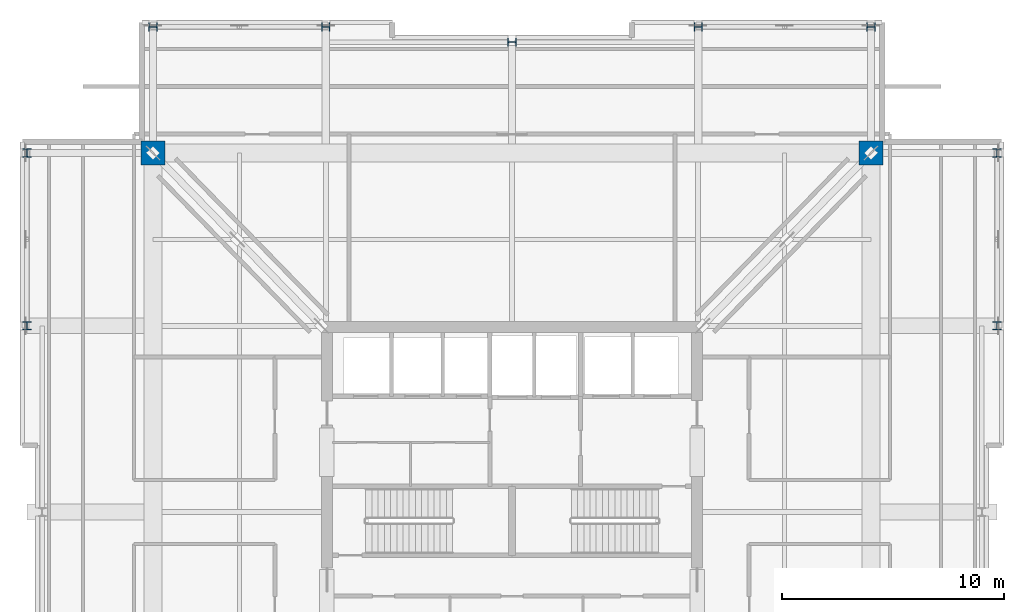
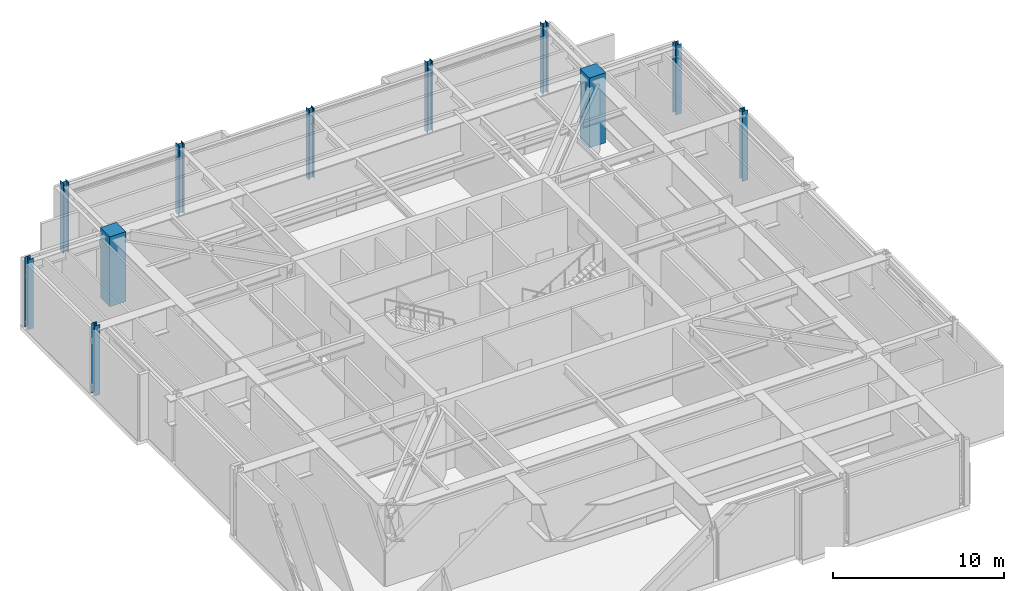
# One storey, part 2 of 10: 11 columns.
"""IFC4 building model written with IfcOpenShell, lengths in metres."""

from ifc_helpers import new_model, si_unit, direction, frame, origin, origin_2d, place, context, subcontext, project, spatial, rectangle, i_section, extrude, material, material_profile, profile_set, type_object, element, save


model = new_model("IFC4")

# Units and contexts
model_context = context("Model", 3, precision=1e-05, world=origin(), true_north=direction((0.0, 1.0)))
body_context = subcontext(model_context, "Body", "Model", "MODEL_VIEW")
ifc_project = project(units=[si_unit("LENGTHUNIT", "METRE"), si_unit("AREAUNIT", "SQUARE_METRE"), si_unit("VOLUMEUNIT", "CUBIC_METRE"), si_unit("PLANEANGLEUNIT", "RADIAN"), si_unit("MASSUNIT", "GRAM", prefix="KILO")], contexts=[model_context])

# Site, building, storey
site_placement = place(None, origin())
site = spatial("IfcSite", under=ifc_project, at=site_placement, CompositionType="ELEMENT")
building_placement = place(site_placement, origin())
building = spatial("IfcBuilding", under=site, at=building_placement, Name="Drelvath Grand Hotel", CompositionType="ELEMENT")
storey_placement = place(building_placement, frame((0.0, 0.0, 260.0)))
storey = spatial("IfcBuildingStorey", under=building, at=storey_placement, Name="L68", CompositionType="ELEMENT", Elevation=260.0)

# Columns
ifc_material_1 = material(Name="Concrete f'c 55 MPa", Category="concrete")
ifc_material_profile_1 = material_profile(ifc_material_1, rectangle(XDim=1.10009765625, YDim=1.10009765625, at=origin_2d()), Name="MC1100X1100")
ifc_profile_set_1 = profile_set([ifc_material_profile_1], Name="Concrete f'c 55 MPa")
column_type_1 = type_object("IfcColumnType", Name="Composite Mega Column MC1100X1100", PredefinedType="COLUMN", material=ifc_profile_set_1)
for number, where, z_axis, x_axis, name in (
    (1, (-16.199951171875, 43.199951171875, 0.0), (0.0, 0.0, 1.0), (1.0, 0.0, 0.0), "L68 Composite Mega Column MC-NW"),
    (2, (16.199951171875, 43.199951171875, 0.0), (0.0, 0.0, 1.0), (1.0, 0.0, 0.0), "L68 Composite Mega Column MC-NE"),
):
    element("IfcColumn", number, at=place(storey_placement, frame(where, z_axis=z_axis, x_axis=x_axis)), inside=storey, type_object=column_type_1, Name=name, PredefinedType="COLUMN", context=body_context, shape_type="SweptSolid", body=[
        extrude(rectangle(XDim=1.10009765625, YDim=1.10009765625, at=origin_2d()), origin(), (0.0, 0.0, 1.0), 5.0),
    ])
ifc_material_2 = material(Name="Steel ASTM A913 Gr 65", Category="steel")
ifc_material_profile_2 = material_profile(ifc_material_2, i_section(OverallWidth=0.3740234375, OverallDepth=0.372314453125, WebThickness=0.016357421875, FlangeThickness=0.026123046875, FilletRadius=0.02490234375, at=origin_2d()), Name="W14X132")
ifc_profile_set_2 = profile_set([ifc_material_profile_2], Name="Steel ASTM A913 Gr 65")
column_type_2 = type_object("IfcColumnType", Name="Perimeter Steel Column W14X132", PredefinedType="COLUMN", material=ifc_profile_set_2)
for number, where, z_axis, x_axis, name in (
    (3, (-21.8798828125, 35.39990234375, 0.0), (0.0, 0.0, 1.0), (1.0, 0.0, 0.0), "L68 Structural Column TCW-F"),
    (4, (21.8798828125, 35.39990234375, 0.0), (0.0, 0.0, 1.0), (1.0, 0.0, 0.0), "L68 Structural Column TCE-F"),
    (5, (-21.8798828125, 43.199951171875, 0.0), (0.0, 0.0, 1.0), (1.0, 0.0, 0.0), "L68 Structural Column TCW-G"),
    (6, (21.8798828125, 43.199951171875, 0.0), (0.0, 0.0, 1.0), (1.0, 0.0, 0.0), "L68 Structural Column TCE-G"),
    (7, (-16.199951171875, 48.8798828125, 0.0), (0.0, 0.0, 1.0), (0.0, 1.0, 0.0), "L68 Structural Column TCN-3"),
    (8, (-8.39990234375, 48.8798828125, 0.0), (0.0, 0.0, 1.0), (0.0, 1.0, 0.0), "L68 Structural Column TCN-4"),
    (9, (0.0, 48.199951171875, 0.0), (0.0, 0.0, 1.0), (0.0, 1.0, 0.0), "L68 Structural Column TCN-5"),
    (10, (8.39990234375, 48.8798828125, 0.0), (0.0, 0.0, 1.0), (0.0, 1.0, 0.0), "L68 Structural Column TCN-6"),
    (11, (16.199951171875, 48.8798828125, 0.0), (0.0, 0.0, 1.0), (0.0, 1.0, 0.0), "L68 Structural Column TCN-7"),
):
    element("IfcColumn", number, at=place(storey_placement, frame(where, z_axis=z_axis, x_axis=x_axis)), inside=storey, type_object=column_type_2, Name=name, PredefinedType="COLUMN", context=body_context, shape_type="SweptSolid", body=[
        extrude(i_section(OverallWidth=0.3740234375, OverallDepth=0.372314453125, WebThickness=0.016357421875, FlangeThickness=0.026123046875, FilletRadius=0.02490234375, at=origin_2d()), origin(), (0.0, 0.0, 1.0), 4.9970703125),
    ])

save(model, "model.ifc")
